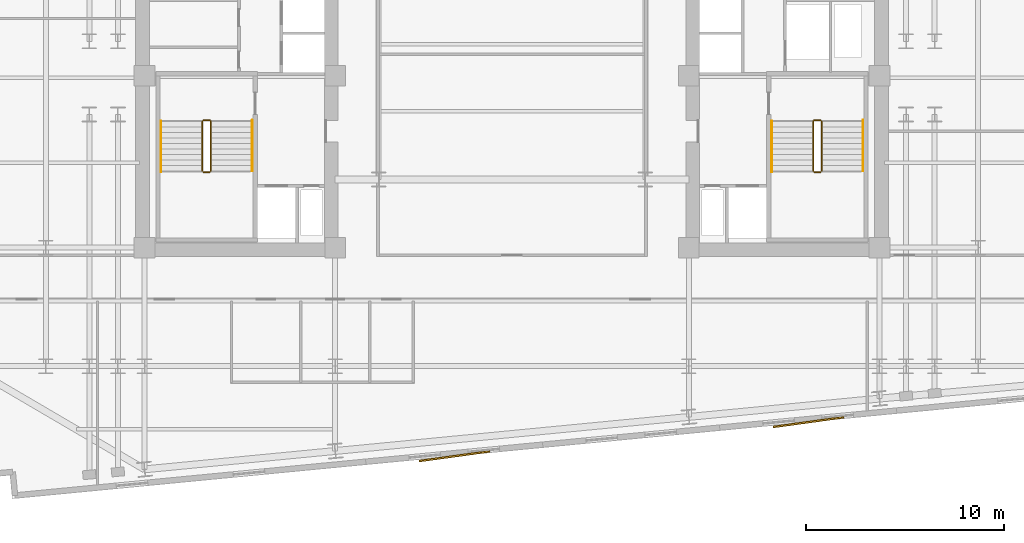
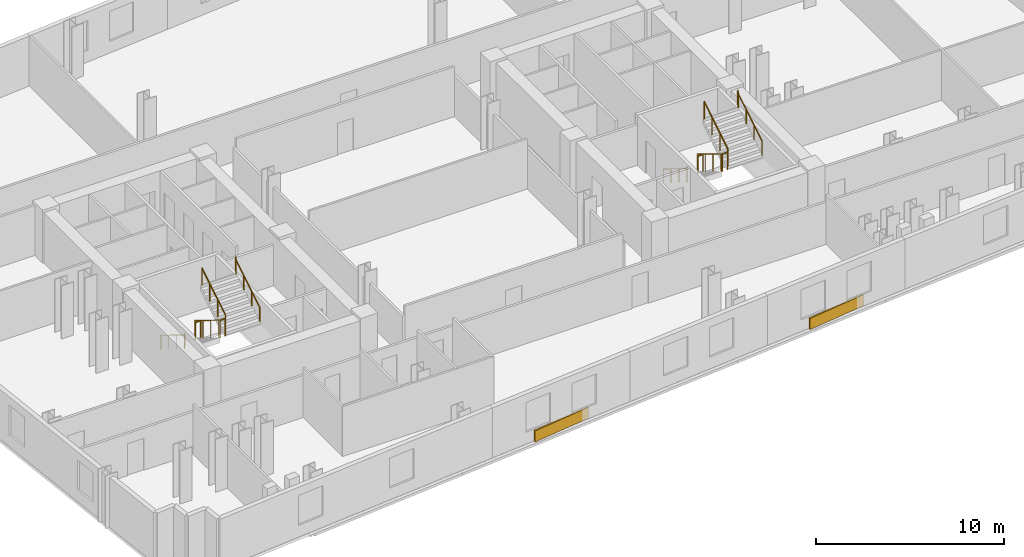
# One storey, part 9 of 10: 12 railings, 2 coverings.
"""IFC4 building model written with IfcOpenShell, lengths in metres."""

from ifc_helpers import new_model, si_unit, direction, frame, origin, origin_2d, place, context, subcontext, project, spatial, rectangle, circle, extrude, material, layer, layer_set, type_object, element, save


model = new_model("IFC4")

# Units and contexts
model_context = context("Model", 3, precision=1e-05, world=origin(), true_north=direction((0.0, 1.0)))
body_context = subcontext(model_context, "Body", "Model", "MODEL_VIEW")
ifc_project = project(units=[si_unit("LENGTHUNIT", "METRE"), si_unit("AREAUNIT", "SQUARE_METRE"), si_unit("VOLUMEUNIT", "CUBIC_METRE"), si_unit("PLANEANGLEUNIT", "RADIAN"), si_unit("MASSUNIT", "GRAM", prefix="KILO")], contexts=[model_context])

# Site, building, storey
site_placement = place(None, origin())
site = spatial("IfcSite", under=ifc_project, at=site_placement, CompositionType="ELEMENT")
building_placement = place(site_placement, origin())
building = spatial("IfcBuilding", under=site, at=building_placement, Name="Velakula Bourse", CompositionType="ELEMENT")
storey_placement = place(building_placement, frame((0.0, 0.0, 81.10009765625)))
storey = spatial("IfcBuildingStorey", under=building, at=storey_placement, Name="L21", CompositionType="ELEMENT", Elevation=81.10009765625)

# Coverings
ifc_material_1 = material(Name="Buff kilned clay facing brick masonry", Category="masonry")
ifc_layer = layer(ifc_material_1, 0.074951171875, Name="Buff kilned clay facing brick masonry", Category="masonry")
ifc_layer_set = layer_set([ifc_layer], Name="Buff kilned clay facing brick masonry")
covering_type = type_object("IfcCoveringType", Name="COV-BRK-SPN-75", PredefinedType="CLADDING", material=ifc_layer_set)
for number, where, z_axis, x_axis, name in (
    (1, (-2.908447265625, -19.154052734375, 0.0), (0.0, 0.0, 1.0), (0.990629029058, 0.136580111242, 0.0), "L21 Folded Brick Facade Cladding Panel S-B2"),
    (2, (15.0087890625, -17.428955078125, 0.0), (0.0, 0.0, 1.0), (0.990629029058, 0.136580111242, 0.0), "L21 Folded Brick Facade Cladding Panel S-B4"),
):
    element("IfcCovering", number, at=place(storey_placement, frame(where, z_axis=z_axis, x_axis=x_axis)), inside=storey, type_object=covering_type, Name=name, PredefinedType="CLADDING", context=body_context, shape_type="SweptSolid", body=[
        extrude(rectangle(XDim=3.60009765625, YDim=0.090087890625, at=origin_2d()), origin(), (0.0, 0.0, 1.0), 0.719970703125),
    ])

# Railings
ifc_material_2 = material(Name="Brushed grade 316 stainless steel", Category="steel")
railing_type_1 = type_object("IfcRailingType", Name="RLG-STAIR-GUARD-1150", PredefinedType="BALUSTRADE", material=ifc_material_2)
railing_1_placement = place(storey_placement, frame((-15.672119140625, -2.199951171875, 0.17236328125)))
element("IfcRailing", 3, at=railing_1_placement, inside=storey, type_object=railing_type_1, Name="L21 ST-W1 stair guard 1", PredefinedType="BALUSTRADE", context=body_context, shape_type="SweptSolid", body=[
    extrude(circle(Radius=0.02490234375, at=origin_2d()), frame((0.0, 0.0, 1.125), z_axis=(0.0, -0.851400495292, 0.524516154772), x_axis=(1.0, 0.0, 0.0)), (0.0, 0.0, 1.0), 2.9599609375),
    extrude(circle(Radius=0.02099609375, at=origin_2d()), origin(), (0.0, 0.0, 1.0), 1.099853515625),
    extrude(circle(Radius=0.02099609375, at=origin_2d()), frame((0.0, -0.840087890625, 0.517578125)), (0.0, 0.0, 1.0), 1.099853515625),
    extrude(circle(Radius=0.02099609375, at=origin_2d()), frame((0.0, -1.679931640625, 1.034912109375)), (0.0, 0.0, 1.0), 1.099853515625),
    extrude(circle(Radius=0.02099609375, at=origin_2d()), frame((0.0, -2.52001953125, 1.552490234375)), (0.0, 0.0, 1.0), 1.099853515625),
])
railing_2_placement = place(storey_placement, frame((-15.6220703125, -4.77001953125, 1.724853515625)))
element("IfcRailing", 4, at=railing_2_placement, inside=storey, type_object=railing_type_1, Name="L21 ST-W1 stair guard 2", PredefinedType="BALUSTRADE", context=body_context, shape_type="SweptSolid", body=[
    extrude(circle(Radius=0.02490234375, at=origin_2d()), frame((0.0, 0.0, 1.125), z_axis=(1.0, 0.0, 0.0), x_axis=(0.0, 1.0, 0.0)), (0.0, 0.0, 1.0), 0.323974609375),
    extrude(circle(Radius=0.02099609375, at=origin_2d()), origin(), (0.0, 0.0, 1.0), 1.099853515625),
    extrude(circle(Radius=0.02099609375, at=origin_2d()), frame((0.323974609375, 0.0, 0.0)), (0.0, 0.0, 1.0), 1.099853515625),
])
railing_3_placement = place(storey_placement, frame((-15.248046875, -4.719970703125, 1.8974609375)))
element("IfcRailing", 5, at=railing_3_placement, inside=storey, type_object=railing_type_1, Name="L21 ST-W1 stair guard 3", PredefinedType="BALUSTRADE", context=body_context, shape_type="SweptSolid", body=[
    extrude(circle(Radius=0.02490234375, at=origin_2d()), frame((0.0, 0.0, 1.125), z_axis=(0.0, 0.851400495292, 0.524516154772), x_axis=(-1.0, 0.0, 0.0)), (0.0, 0.0, 1.0), 2.9599609375),
    extrude(circle(Radius=0.02099609375, at=origin_2d()), origin(), (0.0, 0.0, 1.0), 1.099853515625),
    extrude(circle(Radius=0.02099609375, at=origin_2d()), frame((0.0, 0.840087890625, 0.517578125)), (0.0, 0.0, 1.0), 1.099853515625),
    extrude(circle(Radius=0.02099609375, at=origin_2d()), frame((0.0, 1.679931640625, 1.034912109375)), (0.0, 0.0, 1.0), 1.099853515625),
    extrude(circle(Radius=0.02099609375, at=origin_2d()), frame((0.0, 2.52001953125, 1.552490234375)), (0.0, 0.0, 1.0), 1.099853515625),
])
railing_4_placement = place(storey_placement, frame((-15.6220703125, -2.14990234375, 0.0)))
element("IfcRailing", 6, at=railing_4_placement, inside=storey, type_object=railing_type_1, Name="L21 ST-W1 stair guard 4", PredefinedType="BALUSTRADE", context=body_context, shape_type="SweptSolid", body=[
    extrude(circle(Radius=0.02490234375, at=origin_2d()), frame((0.0, 0.0, 1.125), z_axis=(1.0, 0.0, 0.0), x_axis=(0.0, 1.0, 0.0)), (0.0, 0.0, 1.0), 0.323974609375),
    extrude(circle(Radius=0.02099609375, at=origin_2d()), origin(), (0.0, 0.0, 1.0), 1.099853515625),
    extrude(circle(Radius=0.02099609375, at=origin_2d()), frame((0.323974609375, 0.0, 0.0)), (0.0, 0.0, 1.0), 1.099853515625),
])
railing_5_placement = place(storey_placement, frame((15.248046875, -2.199951171875, 0.17236328125)))
element("IfcRailing", 7, at=railing_5_placement, inside=storey, type_object=railing_type_1, Name="L21 ST-E1 stair guard 1", PredefinedType="BALUSTRADE", context=body_context, shape_type="SweptSolid", body=[
    extrude(circle(Radius=0.02490234375, at=origin_2d()), frame((0.0, 0.0, 1.125), z_axis=(0.0, -0.851400495292, 0.524516154772), x_axis=(1.0, 0.0, 0.0)), (0.0, 0.0, 1.0), 2.9599609375),
    extrude(circle(Radius=0.02099609375, at=origin_2d()), origin(), (0.0, 0.0, 1.0), 1.099853515625),
    extrude(circle(Radius=0.02099609375, at=origin_2d()), frame((0.0, -0.840087890625, 0.517578125)), (0.0, 0.0, 1.0), 1.099853515625),
    extrude(circle(Radius=0.02099609375, at=origin_2d()), frame((0.0, -1.679931640625, 1.034912109375)), (0.0, 0.0, 1.0), 1.099853515625),
    extrude(circle(Radius=0.02099609375, at=origin_2d()), frame((0.0, -2.52001953125, 1.552490234375)), (0.0, 0.0, 1.0), 1.099853515625),
])
railing_6_placement = place(storey_placement, frame((15.298095703125, -4.77001953125, 1.724853515625)))
element("IfcRailing", 8, at=railing_6_placement, inside=storey, type_object=railing_type_1, Name="L21 ST-E1 stair guard 2", PredefinedType="BALUSTRADE", context=body_context, shape_type="SweptSolid", body=[
    extrude(circle(Radius=0.02490234375, at=origin_2d()), frame((0.0, 0.0, 1.125), z_axis=(1.0, 0.0, 0.0), x_axis=(0.0, 1.0, 0.0)), (0.0, 0.0, 1.0), 0.323974609375),
    extrude(circle(Radius=0.02099609375, at=origin_2d()), origin(), (0.0, 0.0, 1.0), 1.099853515625),
    extrude(circle(Radius=0.02099609375, at=origin_2d()), frame((0.323974609375, 0.0, 0.0)), (0.0, 0.0, 1.0), 1.099853515625),
])
railing_7_placement = place(storey_placement, frame((15.672119140625, -4.719970703125, 1.8974609375)))
element("IfcRailing", 9, at=railing_7_placement, inside=storey, type_object=railing_type_1, Name="L21 ST-E1 stair guard 3", PredefinedType="BALUSTRADE", context=body_context, shape_type="SweptSolid", body=[
    extrude(circle(Radius=0.02490234375, at=origin_2d()), frame((0.0, 0.0, 1.125), z_axis=(0.0, 0.851400495292, 0.524516154772), x_axis=(-1.0, 0.0, 0.0)), (0.0, 0.0, 1.0), 2.9599609375),
    extrude(circle(Radius=0.02099609375, at=origin_2d()), origin(), (0.0, 0.0, 1.0), 1.099853515625),
    extrude(circle(Radius=0.02099609375, at=origin_2d()), frame((0.0, 0.840087890625, 0.517578125)), (0.0, 0.0, 1.0), 1.099853515625),
    extrude(circle(Radius=0.02099609375, at=origin_2d()), frame((0.0, 1.679931640625, 1.034912109375)), (0.0, 0.0, 1.0), 1.099853515625),
    extrude(circle(Radius=0.02099609375, at=origin_2d()), frame((0.0, 2.52001953125, 1.552490234375)), (0.0, 0.0, 1.0), 1.099853515625),
])
railing_8_placement = place(storey_placement, frame((15.298095703125, -2.14990234375, 0.0)))
element("IfcRailing", 10, at=railing_8_placement, inside=storey, type_object=railing_type_1, Name="L21 ST-E1 stair guard 4", PredefinedType="BALUSTRADE", context=body_context, shape_type="SweptSolid", body=[
    extrude(circle(Radius=0.02490234375, at=origin_2d()), frame((0.0, 0.0, 1.125), z_axis=(1.0, 0.0, 0.0), x_axis=(0.0, 1.0, 0.0)), (0.0, 0.0, 1.0), 0.323974609375),
    extrude(circle(Radius=0.02099609375, at=origin_2d()), origin(), (0.0, 0.0, 1.0), 1.099853515625),
    extrude(circle(Radius=0.02099609375, at=origin_2d()), frame((0.323974609375, 0.0, 0.0)), (0.0, 0.0, 1.0), 1.099853515625),
])
railing_type_2 = type_object("IfcRailingType", Name="RLG-STAIR-HAND-920", PredefinedType="HANDRAIL", material=ifc_material_2)
railing_9_placement = place(storey_placement, frame((-17.77001953125, -2.199951171875, 0.17236328125)))
element("IfcRailing", 11, at=railing_9_placement, inside=storey, type_object=railing_type_2, Name="L21 ST-W1 stair handrail 1", PredefinedType="HANDRAIL", context=body_context, shape_type="SweptSolid", body=[
    extrude(circle(Radius=0.02099609375, at=origin_2d()), frame((0.0, 0.0, 0.89892578125), z_axis=(0.0, -0.851400495292, 0.524516154772), x_axis=(1.0, 0.0, 0.0)), (0.0, 0.0, 1.0), 2.9599609375),
    extrude(circle(Radius=0.02099609375, at=origin_2d()), frame((0.0, -2.52001953125, 2.451416015625), z_axis=(0.0, -0.22596628056, 0.974135124123), x_axis=(1.0, 0.0, 0.0)), (0.0, 0.0, 1.0), 0.17724609375),
    extrude(circle(Radius=0.02099609375, at=origin_2d()), frame((0.0, -2.56005859375, 2.6240234375), z_axis=(0.0, -1.0, 0.0), x_axis=(1.0, 0.0, 0.0)), (0.0, 0.0, 1.0), 0.0048828125),
    extrude(circle(Radius=0.02099609375, at=origin_2d()), origin(), (0.0, 0.0, 1.0), 0.8779296875),
    extrude(circle(Radius=0.02099609375, at=origin_2d()), frame((0.0, -0.840087890625, 0.517578125)), (0.0, 0.0, 1.0), 0.8779296875),
    extrude(circle(Radius=0.02099609375, at=origin_2d()), frame((0.0, -1.679931640625, 1.034912109375)), (0.0, 0.0, 1.0), 0.8779296875),
    extrude(circle(Radius=0.02099609375, at=origin_2d()), frame((0.0, -2.52001953125, 1.552490234375)), (0.0, 0.0, 1.0), 0.8779296875),
    extrude(circle(Radius=0.02099609375, at=origin_2d()), frame((0.0, -2.56005859375, 1.72509765625)), (0.0, 0.0, 1.0), 0.8779296875),
    extrude(circle(Radius=0.02099609375, at=origin_2d()), frame((0.0, -2.56494140625, 1.72509765625)), (0.0, 0.0, 1.0), 0.8779296875),
])
railing_10_placement = place(storey_placement, frame((-13.14990234375, -4.719970703125, 1.8974609375)))
element("IfcRailing", 12, at=railing_10_placement, inside=storey, type_object=railing_type_2, Name="L21 ST-W1 stair handrail 2", PredefinedType="HANDRAIL", context=body_context, shape_type="SweptSolid", body=[
    extrude(circle(Radius=0.02099609375, at=origin_2d()), frame((0.0, 0.0, 0.89892578125), z_axis=(0.0, 0.851400495292, 0.524516154772), x_axis=(-1.0, 0.0, 0.0)), (0.0, 0.0, 1.0), 2.9599609375),
    extrude(circle(Radius=0.02099609375, at=origin_2d()), frame((0.0, 2.52001953125, 2.451416015625), z_axis=(0.0, 0.226269970362, 0.974064628509), x_axis=(-1.0, 0.0, 0.0)), (0.0, 0.0, 1.0), 0.177001953125),
    extrude(circle(Radius=0.02099609375, at=origin_2d()), frame((0.0, 2.56005859375, 2.623779296875), z_axis=(0.0, 1.0, 0.0), x_axis=(-1.0, 0.0, 0.0)), (0.0, 0.0, 1.0), 0.0048828125),
    extrude(circle(Radius=0.02099609375, at=origin_2d()), origin(), (0.0, 0.0, 1.0), 0.8779296875),
    extrude(circle(Radius=0.02099609375, at=origin_2d()), frame((0.0, 0.840087890625, 0.517578125)), (0.0, 0.0, 1.0), 0.8779296875),
    extrude(circle(Radius=0.02099609375, at=origin_2d()), frame((0.0, 1.679931640625, 1.034912109375)), (0.0, 0.0, 1.0), 0.8779296875),
    extrude(circle(Radius=0.02099609375, at=origin_2d()), frame((0.0, 2.52001953125, 1.552490234375)), (0.0, 0.0, 1.0), 0.8779296875),
    extrude(circle(Radius=0.02099609375, at=origin_2d()), frame((0.0, 2.56005859375, 1.724853515625)), (0.0, 0.0, 1.0), 0.8779296875),
    extrude(circle(Radius=0.02099609375, at=origin_2d()), frame((0.0, 2.56494140625, 1.724853515625)), (0.0, 0.0, 1.0), 0.8779296875),
])
railing_11_placement = place(storey_placement, frame((13.14990234375, -2.199951171875, 0.17236328125)))
element("IfcRailing", 13, at=railing_11_placement, inside=storey, type_object=railing_type_2, Name="L21 ST-E1 stair handrail 1", PredefinedType="HANDRAIL", context=body_context, shape_type="SweptSolid", body=[
    extrude(circle(Radius=0.02099609375, at=origin_2d()), frame((0.0, 0.0, 0.89892578125), z_axis=(0.0, -0.851400495292, 0.524516154772), x_axis=(1.0, 0.0, 0.0)), (0.0, 0.0, 1.0), 2.9599609375),
    extrude(circle(Radius=0.02099609375, at=origin_2d()), frame((0.0, -2.52001953125, 2.451416015625), z_axis=(0.0, -0.22596628056, 0.974135124123), x_axis=(1.0, 0.0, 0.0)), (0.0, 0.0, 1.0), 0.17724609375),
    extrude(circle(Radius=0.02099609375, at=origin_2d()), frame((0.0, -2.56005859375, 2.6240234375), z_axis=(0.0, -1.0, 0.0), x_axis=(1.0, 0.0, 0.0)), (0.0, 0.0, 1.0), 0.0048828125),
    extrude(circle(Radius=0.02099609375, at=origin_2d()), origin(), (0.0, 0.0, 1.0), 0.8779296875),
    extrude(circle(Radius=0.02099609375, at=origin_2d()), frame((0.0, -0.840087890625, 0.517578125)), (0.0, 0.0, 1.0), 0.8779296875),
    extrude(circle(Radius=0.02099609375, at=origin_2d()), frame((0.0, -1.679931640625, 1.034912109375)), (0.0, 0.0, 1.0), 0.8779296875),
    extrude(circle(Radius=0.02099609375, at=origin_2d()), frame((0.0, -2.52001953125, 1.552490234375)), (0.0, 0.0, 1.0), 0.8779296875),
    extrude(circle(Radius=0.02099609375, at=origin_2d()), frame((0.0, -2.56005859375, 1.72509765625)), (0.0, 0.0, 1.0), 0.8779296875),
    extrude(circle(Radius=0.02099609375, at=origin_2d()), frame((0.0, -2.56494140625, 1.72509765625)), (0.0, 0.0, 1.0), 0.8779296875),
])
railing_12_placement = place(storey_placement, frame((17.77001953125, -4.719970703125, 1.8974609375)))
element("IfcRailing", 14, at=railing_12_placement, inside=storey, type_object=railing_type_2, Name="L21 ST-E1 stair handrail 2", PredefinedType="HANDRAIL", context=body_context, shape_type="SweptSolid", body=[
    extrude(circle(Radius=0.02099609375, at=origin_2d()), frame((0.0, 0.0, 0.89892578125), z_axis=(0.0, 0.851400495292, 0.524516154772), x_axis=(-1.0, 0.0, 0.0)), (0.0, 0.0, 1.0), 2.9599609375),
    extrude(circle(Radius=0.02099609375, at=origin_2d()), frame((0.0, 2.52001953125, 2.451416015625), z_axis=(0.0, 0.226269970362, 0.974064628509), x_axis=(-1.0, 0.0, 0.0)), (0.0, 0.0, 1.0), 0.177001953125),
    extrude(circle(Radius=0.02099609375, at=origin_2d()), frame((0.0, 2.56005859375, 2.623779296875), z_axis=(0.0, 1.0, 0.0), x_axis=(-1.0, 0.0, 0.0)), (0.0, 0.0, 1.0), 0.0048828125),
    extrude(circle(Radius=0.02099609375, at=origin_2d()), origin(), (0.0, 0.0, 1.0), 0.8779296875),
    extrude(circle(Radius=0.02099609375, at=origin_2d()), frame((0.0, 0.840087890625, 0.517578125)), (0.0, 0.0, 1.0), 0.8779296875),
    extrude(circle(Radius=0.02099609375, at=origin_2d()), frame((0.0, 1.679931640625, 1.034912109375)), (0.0, 0.0, 1.0), 0.8779296875),
    extrude(circle(Radius=0.02099609375, at=origin_2d()), frame((0.0, 2.52001953125, 1.552490234375)), (0.0, 0.0, 1.0), 0.8779296875),
    extrude(circle(Radius=0.02099609375, at=origin_2d()), frame((0.0, 2.56005859375, 1.724853515625)), (0.0, 0.0, 1.0), 0.8779296875),
    extrude(circle(Radius=0.02099609375, at=origin_2d()), frame((0.0, 2.56494140625, 1.724853515625)), (0.0, 0.0, 1.0), 0.8779296875),
])

save(model, "model.ifc")
